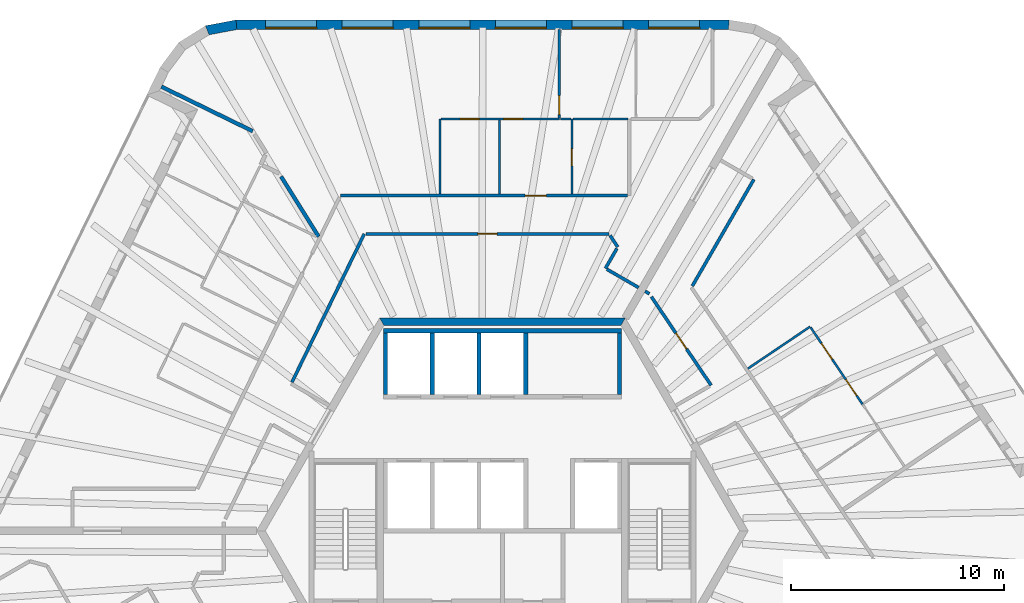
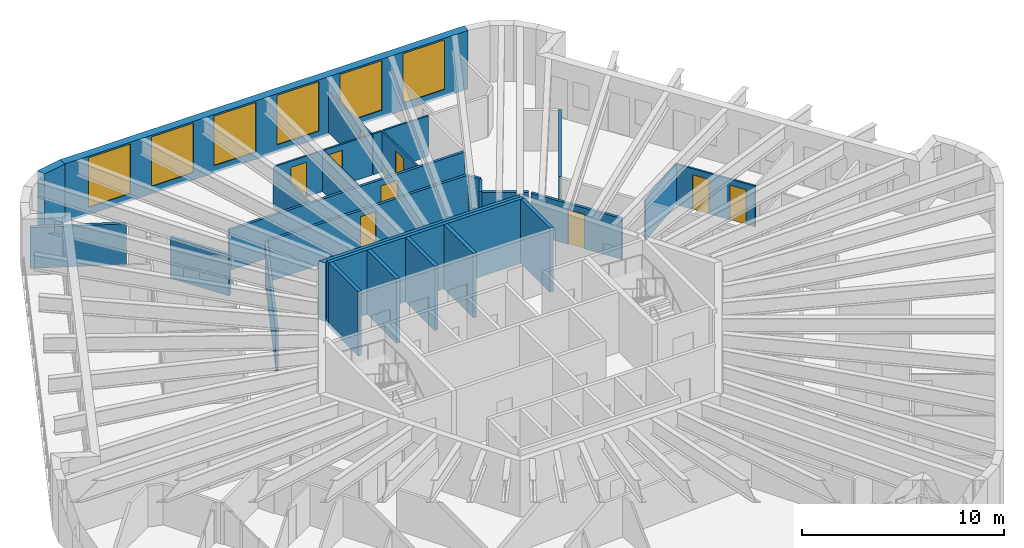
# One storey, part 9 of 11: 29 walls, 9 doors, 6 windows, 15 openings.
"""IFC4 building model written with IfcOpenShell, lengths in metres."""

from ifc_helpers import new_model, si_unit, direction, frame, frame_2d, origin, place, context, subcontext, project, spatial, polyline, rectangle, outline, extrude, material, layer, layer_set, type_object, element, fill, save


model = new_model("IFC4")

# Units and contexts
model_context = context("Model", 3, precision=1e-05, world=origin(), true_north=direction((0.0, 1.0)))
body_context = subcontext(model_context, "Body", "Model", "MODEL_VIEW")
ifc_project = project(units=[si_unit("LENGTHUNIT", "METRE"), si_unit("AREAUNIT", "SQUARE_METRE"), si_unit("VOLUMEUNIT", "CUBIC_METRE"), si_unit("PLANEANGLEUNIT", "RADIAN"), si_unit("MASSUNIT", "GRAM", prefix="KILO")], contexts=[model_context])

# Site, building, storey
site_placement = place(None, origin())
site = spatial("IfcSite", under=ifc_project, at=site_placement, CompositionType="ELEMENT")
building_placement = place(site_placement, origin())
building = spatial("IfcBuilding", under=site, at=building_placement, Name="Tarnside Tower", CompositionType="ELEMENT")
storey_placement = place(building_placement, frame((0.0, 0.0, 372.89990234375)))
storey = spatial("IfcBuildingStorey", under=building, at=storey_placement, Name="L90", CompositionType="ELEMENT", Elevation=372.89990234375)

# Wall, opening, door
ifc_material_1 = material(Name="Gypsum board partition on steel studs", Category="steel")
ifc_layer_1 = layer(ifc_material_1, 0.10009765625)
ifc_layer_set_1 = layer_set([ifc_layer_1], Name="Bathroom wall 100")
wall_type_1 = type_object("IfcWallType", Name="Bathroom wall 100", PredefinedType="PARTITIONING", material=ifc_layer_set_1)
wall_1_placement = place(storey_placement, frame((3.261962890625, 15.824951171875, 0.0), z_axis=(0.0, 0.0, 1.0), x_axis=(0.0, 1.0, 0.0)))
wall_1 = element("IfcWall", 1, at=wall_1_placement, inside=storey, type_object=wall_type_1, Name="Bathroom wall 29089", PredefinedType="PARTITIONING", context=body_context, shape_type="SweptSolid", body=[
    extrude(rectangle(XDim=3.525146484375, YDim=0.10009765625, at=frame_2d((1.7626953125, 0.0))), origin(), (0.0, 0.0, 1.0), 2.47021484375),
])
opening_1_placement = place(wall_1_placement, frame((1.324951171875, 0.0, 0.0)))
opening_1 = element("IfcOpeningElement", 2, at=opening_1_placement, cuts=wall_1, Name="Opening D-B1", PredefinedType="OPENING", context=body_context, shape_type="SweptSolid", body=[
    extrude(rectangle(XDim=0.800048828125, YDim=2.10009765625, at=frame_2d((0.39990234375, 1.050048828125))), frame((0.0, 0.06005859375, 0.0), z_axis=(0.0, -1.0, 0.0), x_axis=(1.0, 0.0, 0.0)), (0.0, 0.0, 1.0), 0.1201171875),
])
ifc_material_2 = material(Name="Timber door leaf", Category="wood")
door_type_1 = type_object("IfcDoorType", Name="Bathroom door 800", OperationType="NOTDEFINED", PredefinedType="DOOR", material=ifc_material_2)
door_1_placement = place(opening_1_placement, origin())
door_1 = element("IfcDoor", 3, at=door_1_placement, inside=storey, type_object=door_type_1, Name="Bathroom door 29002", OperationType="SINGLE_SWING_RIGHT", OverallHeight=2.10009765625, OverallWidth=0.800048828125, PredefinedType="DOOR", context=body_context, shape_type="SweptSolid", body=[
    extrude(rectangle(XDim=0.800048828125, YDim=2.10009765625, at=frame_2d((0.39990234375, 1.050048828125))), frame((0.0, 0.02490234375, 0.0), z_axis=(0.0, -1.0, 0.0), x_axis=(1.0, 0.0, 0.0)), (0.0, 0.0, 1.0), 0.050048828125),
])
fill(opening_1, door_1)

# Walls
wall_2_placement = place(storey_placement, frame((5.888916015625, 19.35009765625, 0.0), z_axis=(0.0, 0.0, 1.0), x_axis=(-1.0, 0.0, 0.0)))
element("IfcWall", 4, at=wall_2_placement, inside=storey, type_object=wall_type_1, Name="Bathroom wall 29092", PredefinedType="PARTITIONING", context=body_context, shape_type="SweptSolid", body=[
    extrude(rectangle(XDim=2.578857421875, YDim=0.10009765625, at=frame_2d((1.28955078125, 0.0))), origin(), (0.0, 0.0, 1.0), 2.47021484375),
])
ifc_material_3 = material(Name="Concrete C50/60", Category="concrete")
ifc_layer_2 = layer(ifc_material_3, 0.35009765625)
ifc_layer_set_2 = layer_set([ifc_layer_2], Name="Core wall Z4 350 C50/60")
wall_type_2 = type_object("IfcWallType", Name="Core wall Z4 350 C50/60", PredefinedType="SHEAR", material=ifc_layer_set_2)
wall_3_placement = place(storey_placement, frame((5.672607421875, 9.824951171875, -0.14990234375), z_axis=(0.0, 0.0, 1.0), x_axis=(-1.0, 0.0, 0.0)))
element("IfcWall", 5, at=wall_3_placement, inside=storey, type_object=wall_type_2, Name="L90 core wall face 1", PredefinedType="SHEAR", context=body_context, shape_type="SweptSolid", body=[
    extrude(outline(polyline([(-0.10107421875, -0.175048828125), (11.4462890625, -0.175048828125), (11.244140625, 0.175048828125), (0.10107421875, 0.175048828125), (-0.10107421875, -0.175048828125)])), origin(), (0.0, 0.0, 1.0), 3.550048828125),
])

# Wall, opening, door
ifc_layer_3 = layer(ifc_material_1, 0.14990234375)
ifc_layer_set_3 = layer_set([ifc_layer_3], Name="Corridor wall 150 EI 60")
wall_type_3 = type_object("IfcWallType", Name="Corridor wall 150 EI 60", PredefinedType="PARTITIONING", material=ifc_layer_set_3)
wall_4_placement = place(storey_placement, frame((5.886962890625, 15.75, 0.0), z_axis=(0.0, 0.0, 1.0), x_axis=(-1.0, 0.0, 0.0)))
wall_4 = element("IfcWall", 6, at=wall_4_placement, inside=storey, type_object=wall_type_3, Name="Corridor wall 29001", PredefinedType="PARTITIONING", context=body_context, shape_type="SweptSolid", body=[
    extrude(rectangle(XDim=13.50341796875, YDim=0.14990234375, at=frame_2d((6.751708984375, 0.0))), origin(), (0.0, 0.0, 1.0), 2.47021484375),
])
opening_2_placement = place(wall_4_placement, frame((3.824951171875, 0.0, 0.0)))
opening_2 = element("IfcOpeningElement", 7, at=opening_2_placement, cuts=wall_4, Name="Opening D-E1", PredefinedType="OPENING", context=body_context, shape_type="SweptSolid", body=[
    extrude(rectangle(XDim=1.0, YDim=2.10009765625, at=frame_2d((0.5, 1.050048828125))), frame((0.0, 0.0849609375, 0.0), z_axis=(0.0, -1.0, 0.0), x_axis=(1.0, 0.0, 0.0)), (0.0, 0.0, 1.0), 0.169921875),
])
door_type_2 = type_object("IfcDoorType", Name="Unit entrance door 1000 FD30S", OperationType="NOTDEFINED", PredefinedType="DOOR", material=ifc_material_2)
door_2_placement = place(opening_2_placement, origin())
door_2 = element("IfcDoor", 8, at=door_2_placement, inside=storey, type_object=door_type_2, Name="Unit door 29001", OperationType="SINGLE_SWING_RIGHT", OverallHeight=2.10009765625, OverallWidth=1.0, PredefinedType="DOOR", context=body_context, shape_type="SweptSolid", body=[
    extrude(rectangle(XDim=1.0, YDim=2.10009765625, at=frame_2d((0.5, 1.050048828125))), frame((0.0, 0.02490234375, 0.0), z_axis=(0.0, -1.0, 0.0), x_axis=(1.0, 0.0, 0.0)), (0.0, 0.0, 1.0), 0.050048828125),
])
fill(opening_2, door_2)

# Wall
wall_5_placement = place(storey_placement, frame((-9.892578125, 6.977294921875, 0.0), z_axis=(0.0, 0.0, 1.0), x_axis=(0.438380229518, 0.898789616299, 0.0)))
element("IfcWall", 9, at=wall_5_placement, inside=storey, type_object=wall_type_3, Name="Corridor wall 29019", PredefinedType="PARTITIONING", context=body_context, shape_type="SweptSolid", body=[
    extrude(rectangle(XDim=7.7578125, YDim=0.14990234375, at=frame_2d((3.87890625, 0.0))), origin(), (0.0, 0.0, 1.0), 2.47021484375),
])

# Wall, opening, door
wall_6_placement = place(storey_placement, frame((-6.408203125, 13.949951171875, 0.0), z_axis=(0.0, 0.0, 1.0), x_axis=(1.0, 0.0, 0.0)))
wall_6 = element("IfcWall", 10, at=wall_6_placement, inside=storey, type_object=wall_type_3, Name="Corridor wall 29020", PredefinedType="PARTITIONING", context=body_context, shape_type="SweptSolid", body=[
    extrude(rectangle(XDim=11.4130859375, YDim=0.14990234375, at=frame_2d((5.70654296875, 0.0))), origin(), (0.0, 0.0, 1.0), 2.47021484375),
])
opening_3_placement = place(wall_6_placement, frame((5.256591796875, 0.0, 0.0)))
opening_3 = element("IfcOpeningElement", 11, at=opening_3_placement, cuts=wall_6, Name="Opening D-S1", PredefinedType="OPENING", context=body_context, shape_type="SweptSolid", body=[
    extrude(rectangle(XDim=0.89990234375, YDim=2.10009765625, at=frame_2d((0.449951171875, 1.050048828125))), frame((0.0, 0.0849609375, 0.0), z_axis=(0.0, -1.0, 0.0), x_axis=(1.0, 0.0, 0.0)), (0.0, 0.0, 1.0), 0.169921875),
])
door_type_3 = type_object("IfcDoorType", Name="Service room door 900 FD30S", OperationType="NOTDEFINED", PredefinedType="DOOR", material=ifc_material_2)
door_3_placement = place(opening_3_placement, origin())
door_3 = element("IfcDoor", 12, at=door_3_placement, inside=storey, type_object=door_type_3, Name="Service door 29057", OperationType="SINGLE_SWING_RIGHT", OverallHeight=2.10009765625, OverallWidth=0.89990234375, PredefinedType="DOOR", context=body_context, shape_type="SweptSolid", body=[
    extrude(rectangle(XDim=0.89990234375, YDim=2.10009765625, at=frame_2d((0.449951171875, 1.050048828125))), frame((0.0, 0.02490234375, 0.0), z_axis=(0.0, -1.0, 0.0), x_axis=(1.0, 0.0, 0.0)), (0.0, 0.0, 1.0), 0.050048828125),
])
fill(opening_3, door_3)

# Walls
wall_7_placement = place(storey_placement, frame((5.055419921875, 13.875, 0.0), z_axis=(0.0, 0.0, 1.0), x_axis=(0.559111656251, -0.829092368705, 0.0)))
element("IfcWall", 13, at=wall_7_placement, inside=storey, type_object=wall_type_3, Name="Corridor wall 29021", PredefinedType="PARTITIONING", context=body_context, shape_type="SweptSolid", body=[
    extrude(rectangle(XDim=0.650146484375, YDim=0.14990234375, at=frame_2d((0.3251953125, 0.0))), origin(), (0.0, 0.0, 1.0), 2.47021484375),
])
wall_8_placement = place(storey_placement, frame((5.377197265625, 13.263671875, 0.0), z_axis=(0.0, 0.0, 1.0), x_axis=(-0.499957341738, -0.866050031143, 0.0)))
element("IfcWall", 14, at=wall_8_placement, inside=storey, type_object=wall_type_3, Name="Corridor wall 29022", PredefinedType="PARTITIONING", context=body_context, shape_type="SweptSolid", body=[
    extrude(rectangle(XDim=1.07958984375, YDim=0.14990234375, at=frame_2d((0.539794921875, 0.0))), origin(), (0.0, 0.0, 1.0), 2.47021484375),
])
wall_9_placement = place(storey_placement, frame((4.90234375, 12.291015625, 0.0), z_axis=(0.0, 0.0, 1.0), x_axis=(0.866074815912, -0.499914405916, 0.0)))
element("IfcWall", 15, at=wall_9_placement, inside=storey, type_object=wall_type_3, Name="Corridor wall 29023", PredefinedType="PARTITIONING", context=body_context, shape_type="SweptSolid", body=[
    extrude(rectangle(XDim=1.724853515625, YDim=0.14990234375, at=frame_2d((0.8623046875, 0.0))), origin(), (0.0, 0.0, 1.0), 2.47021484375),
])
wall_10_placement = place(storey_placement, frame((8.919677734375, 11.499267578125, 0.0), z_axis=(0.0, 0.0, 1.0), x_axis=(0.499984314267, 0.866034459757, 0.0)))
element("IfcWall", 16, at=wall_10_placement, inside=storey, type_object=wall_type_3, Name="Corridor wall 29063", PredefinedType="PARTITIONING", context=body_context, shape_type="SweptSolid", body=[
    extrude(rectangle(XDim=5.783935546875, YDim=0.14990234375, at=frame_2d((2.89208984375, 0.0))), origin(), (0.0, 0.0, 1.0), 2.47021484375),
])
wall_11_placement = place(storey_placement, frame((6.699462890625, 11.253662109375, 0.0), z_axis=(0.0, 0.0, 1.0), x_axis=(0.865544827262, -0.500831460673, 0.0)))
element("IfcWall", 17, at=wall_11_placement, inside=storey, type_object=wall_type_3, Name="Corridor wall 29077", PredefinedType="PARTITIONING", context=body_context, shape_type="SweptSolid", body=[
    extrude(rectangle(XDim=0.23486328125, YDim=0.14990234375, at=frame_2d((0.117431640625, 0.0))), origin(), (0.0, 0.0, 1.0), 2.47021484375),
])

# Wall, opening, door
wall_12_placement = place(storey_placement, frame((6.99853515625, 10.994140625, 0.0), z_axis=(0.0, 0.0, 1.0), x_axis=(0.55918759866, -0.82904115067, 0.0)))
wall_12 = element("IfcWall", 18, at=wall_12_placement, inside=storey, type_object=wall_type_3, Name="Corridor wall 29078", PredefinedType="PARTITIONING", context=body_context, shape_type="SweptSolid", body=[
    extrude(rectangle(XDim=5.012939453125, YDim=0.14990234375, at=frame_2d((2.50634765625, 0.0))), origin(), (0.0, 0.0, 1.0), 2.47021484375),
])
opening_4_placement = place(wall_12_placement, frame((2.056640625, 0.0, 0.0)))
opening_4 = element("IfcOpeningElement", 19, at=opening_4_placement, cuts=wall_12, Name="Opening D-S1", PredefinedType="OPENING", context=body_context, shape_type="SweptSolid", body=[
    extrude(rectangle(XDim=0.89990234375, YDim=2.10009765625, at=frame_2d((0.449951171875, 1.050048828125))), frame((0.0, 0.0849609375, 0.0), z_axis=(0.0, -1.0, 0.0), x_axis=(1.0, 0.0, 0.0)), (0.0, 0.0, 1.0), 0.169921875),
])
door_4_placement = place(opening_4_placement, origin())
door_4 = element("IfcDoor", 20, at=door_4_placement, inside=storey, type_object=door_type_3, Name="Service door 29063", OperationType="SINGLE_SWING_RIGHT", OverallHeight=2.10009765625, OverallWidth=0.89990234375, PredefinedType="DOOR", context=body_context, shape_type="SweptSolid", body=[
    extrude(rectangle(XDim=0.89990234375, YDim=2.10009765625, at=frame_2d((0.449951171875, 1.050048828125))), frame((0.0, 0.02490234375, 0.0), z_axis=(0.0, -1.0, 0.0), x_axis=(1.0, 0.0, 0.0)), (0.0, 0.0, 1.0), 0.050048828125),
])
fill(opening_4, door_4)

# Walls
ifc_layer_4 = layer(ifc_material_1, 0.179931640625)
ifc_layer_set_4 = layer_set([ifc_layer_4], Name="Demising wall 180 EI 60")
wall_type_4 = type_object("IfcWallType", Name="Demising wall 180 EI 60", PredefinedType="PARTITIONING", material=ifc_layer_set_4)
wall_13_placement = place(storey_placement, frame((-16.02392578125, 20.867919921875, 0.0), z_axis=(0.0, 0.0, 1.0), x_axis=(0.898790554329, -0.438378306317, 0.0)))
element("IfcWall", 21, at=wall_13_placement, inside=storey, type_object=wall_type_4, Name="Demising wall 29084", PredefinedType="PARTITIONING", context=body_context, shape_type="SweptSolid", body=[
    extrude(rectangle(XDim=4.775634765625, YDim=0.179931640625, at=frame_2d((2.3876953125, 0.0))), origin(), (0.0, 0.0, 1.0), 2.47021484375),
])
wall_14_placement = place(storey_placement, frame((-10.40185546875, 16.646728515625, 0.0), z_axis=(0.0, 0.0, 1.0), x_axis=(0.529853827573, -0.84808898201, 0.0)))
element("IfcWall", 22, at=wall_14_placement, inside=storey, type_object=wall_type_4, Name="Demising wall 29088", PredefinedType="PARTITIONING", context=body_context, shape_type="SweptSolid", body=[
    extrude(rectangle(XDim=3.3271484375, YDim=0.179931640625, at=frame_2d((1.66357421875, 0.0))), origin(), (0.0, 0.0, 1.0), 2.47021484375),
])
ifc_material_4 = material(Name="Concrete C40/50", Category="concrete")
ifc_layer_5 = layer(ifc_material_4, 0.199951171875)
ifc_layer_set_5 = layer_set([ifc_layer_5], Name="Lift shaft wall 200 C40/50")
wall_type_5 = type_object("IfcWallType", Name="Lift shaft wall 200 C40/50", PredefinedType="SHEAR", material=ifc_layer_set_5)
wall_15_placement = place(storey_placement, frame((-5.60009765625, 9.39990234375, -0.25), z_axis=(0.0, 0.0, 1.0), x_axis=(1.0, 0.0, 0.0)))
element("IfcWall", 23, at=wall_15_placement, inside=storey, type_object=wall_type_5, Name="L90 lift shaft back wall R1", PredefinedType="SHEAR", context=body_context, shape_type="SweptSolid", body=[
    extrude(rectangle(XDim=11.2001953125, YDim=0.199951171875, at=frame_2d((5.60009765625, 0.0))), origin(), (0.0, 0.0, 1.0), 3.900146484375),
])
for number, where, z_axis, x_axis, name in (
    (24, (-5.5, 6.39990234375, -0.25), (0.0, 0.0, 1.0), (0.0, 1.0, 0.0), "L90 lift shaft partition R11"),
    (25, (-3.300048828125, 6.39990234375, -0.25), (0.0, 0.0, 1.0), (0.0, 1.0, 0.0), "L90 lift shaft partition R12"),
    (26, (-1.10009765625, 6.39990234375, -0.25), (0.0, 0.0, 1.0), (0.0, 1.0, 0.0), "L90 lift shaft partition R13"),
    (27, (1.10009765625, 6.39990234375, -0.25), (0.0, 0.0, 1.0), (0.0, 1.0, 0.0), "L90 lift shaft partition R14"),
    (28, (5.5, 6.39990234375, -0.25), (0.0, 0.0, 1.0), (0.0, 1.0, 0.0), "L90 lift shaft partition R16"),
):
    element("IfcWall", number, at=place(storey_placement, frame(where, z_axis=z_axis, x_axis=x_axis)), inside=storey, type_object=wall_type_5, Name=name, PredefinedType="SHEAR", context=body_context, shape_type="SweptSolid", body=[
        extrude(rectangle(XDim=2.900146484375, YDim=0.199951171875, at=frame_2d((1.4501953125, 0.0))), origin(), (0.0, 0.0, 1.0), 3.900146484375),
    ])

# Wall, openings, doors
ifc_layer_6 = layer(ifc_material_1, 0.10009765625)
ifc_layer_set_6 = layer_set([ifc_layer_6], Name="Partition 100")
wall_type_6 = type_object("IfcWallType", Name="Partition 100", PredefinedType="PARTITIONING", material=ifc_layer_set_6)
wall_16_placement = place(storey_placement, frame((-2.887939453125, 19.35009765625, 0.0), z_axis=(0.0, 0.0, 1.0), x_axis=(1.0, 0.0, 0.0)))
wall_16 = element("IfcWall", 29, at=wall_16_placement, inside=storey, type_object=wall_type_6, Name="Partition wall 29080", PredefinedType="PARTITIONING", context=body_context, shape_type="SweptSolid", body=[
    extrude(rectangle(XDim=5.558349609375, YDim=0.10009765625, at=frame_2d((2.779296875, 0.0))), origin(), (0.0, 0.0, 1.0), 2.47021484375),
])
opening_5_placement = place(wall_16_placement, frame((2.949951171875, 0.0, 0.0)))
opening_5 = element("IfcOpeningElement", 30, at=opening_5_placement, cuts=wall_16, Name="Opening D-I1", PredefinedType="OPENING", context=body_context, shape_type="SweptSolid", body=[
    extrude(rectangle(XDim=0.89990234375, YDim=2.10009765625, at=frame_2d((0.449951171875, 1.050048828125))), frame((0.0, 0.06005859375, 0.0), z_axis=(0.0, -1.0, 0.0), x_axis=(1.0, 0.0, 0.0)), (0.0, 0.0, 1.0), 0.1201171875),
])
opening_6_placement = place(wall_16_placement, frame((0.89990234375, 0.0, 0.0)))
opening_6 = element("IfcOpeningElement", 31, at=opening_6_placement, cuts=wall_16, Name="Opening D-I1", PredefinedType="OPENING", context=body_context, shape_type="SweptSolid", body=[
    extrude(rectangle(XDim=0.89990234375, YDim=2.10009765625, at=frame_2d((0.449951171875, 1.050048828125))), frame((0.0, 0.06005859375, 0.0), z_axis=(0.0, -1.0, 0.0), x_axis=(1.0, 0.0, 0.0)), (0.0, 0.0, 1.0), 0.1201171875),
])
door_type_4 = type_object("IfcDoorType", Name="Internal door 900", OperationType="NOTDEFINED", PredefinedType="DOOR", material=ifc_material_2)
door_5_placement = place(opening_5_placement, origin())
door_5 = element("IfcDoor", 32, at=door_5_placement, inside=storey, type_object=door_type_4, Name="Internal door 29003", OperationType="SINGLE_SWING_RIGHT", OverallHeight=2.10009765625, OverallWidth=0.89990234375, PredefinedType="DOOR", context=body_context, shape_type="SweptSolid", body=[
    extrude(rectangle(XDim=0.89990234375, YDim=2.10009765625, at=frame_2d((0.449951171875, 1.050048828125))), frame((0.0, 0.02490234375, 0.0), z_axis=(0.0, -1.0, 0.0), x_axis=(1.0, 0.0, 0.0)), (0.0, 0.0, 1.0), 0.050048828125),
])
fill(opening_5, door_5)
door_6_placement = place(opening_6_placement, origin())
door_6 = element("IfcDoor", 33, at=door_6_placement, inside=storey, type_object=door_type_4, Name="Internal door 29008", OperationType="SINGLE_SWING_RIGHT", OverallHeight=2.10009765625, OverallWidth=0.89990234375, PredefinedType="DOOR", context=body_context, shape_type="SweptSolid", body=[
    extrude(rectangle(XDim=0.89990234375, YDim=2.10009765625, at=frame_2d((0.449951171875, 1.050048828125))), frame((0.0, 0.02490234375, 0.0), z_axis=(0.0, -1.0, 0.0), x_axis=(1.0, 0.0, 0.0)), (0.0, 0.0, 1.0), 0.050048828125),
])
fill(opening_6, door_6)

# Wall, opening, door
wall_17_placement = place(storey_placement, frame((2.66845703125, 19.39990234375, 0.0), z_axis=(0.0, 0.0, 1.0), x_axis=(0.0, 1.0, 0.0)))
wall_17 = element("IfcWall", 34, at=wall_17_placement, inside=storey, type_object=wall_type_6, Name="Partition wall 29081", PredefinedType="PARTITIONING", context=body_context, shape_type="SweptSolid", body=[
    extrude(rectangle(XDim=4.150146484375, YDim=0.10009765625, at=frame_2d((2.0751953125, 0.0))), origin(), (0.0, 0.0, 1.0), 2.47021484375),
])
opening_7_placement = place(wall_17_placement, frame((0.14990234375, 0.0, 0.0)))
opening_7 = element("IfcOpeningElement", 35, at=opening_7_placement, cuts=wall_17, Name="Opening D-I1", PredefinedType="OPENING", context=body_context, shape_type="SweptSolid", body=[
    extrude(rectangle(XDim=0.89990234375, YDim=2.10009765625, at=frame_2d((0.449951171875, 1.050048828125))), frame((0.0, 0.06005859375, 0.0), z_axis=(0.0, -1.0, 0.0), x_axis=(1.0, 0.0, 0.0)), (0.0, 0.0, 1.0), 0.1201171875),
])
door_7_placement = place(opening_7_placement, origin())
door_7 = element("IfcDoor", 36, at=door_7_placement, inside=storey, type_object=door_type_4, Name="Internal door 29007", OperationType="SINGLE_SWING_RIGHT", OverallHeight=2.10009765625, OverallWidth=0.89990234375, PredefinedType="DOOR", context=body_context, shape_type="SweptSolid", body=[
    extrude(rectangle(XDim=0.89990234375, YDim=2.10009765625, at=frame_2d((0.449951171875, 1.050048828125))), frame((0.0, 0.02490234375, 0.0), z_axis=(0.0, -1.0, 0.0), x_axis=(1.0, 0.0, 0.0)), (0.0, 0.0, 1.0), 0.050048828125),
])
fill(opening_7, door_7)

# Walls
wall_18_placement = place(storey_placement, frame((-2.93798828125, 15.824951171875, 0.0), z_axis=(0.0, 0.0, 1.0), x_axis=(0.0, 1.0, 0.0)))
element("IfcWall", 37, at=wall_18_placement, inside=storey, type_object=wall_type_6, Name="Partition wall 29082", PredefinedType="PARTITIONING", context=body_context, shape_type="SweptSolid", body=[
    extrude(rectangle(XDim=3.525146484375, YDim=0.10009765625, at=frame_2d((1.7626953125, 0.0))), origin(), (0.0, 0.0, 1.0), 2.47021484375),
])
wall_19_placement = place(storey_placement, frame((3.214111328125, 19.35009765625, 0.0), z_axis=(0.0, 0.0, 1.0), x_axis=(-1.0, 0.0, 0.0)))
element("IfcWall", 38, at=wall_19_placement, inside=storey, type_object=wall_type_6, Name="Partition wall 29090", PredefinedType="PARTITIONING", context=body_context, shape_type="SweptSolid", body=[
    extrude(rectangle(XDim=0.49560546875, YDim=0.10009765625, at=frame_2d((0.247802734375, 0.0))), origin(), (0.0, 0.0, 1.0), 2.47021484375),
])
wall_20_placement = place(storey_placement, frame((-0.137939453125, 19.300048828125, 0.0), z_axis=(0.0, 0.0, 1.0), x_axis=(0.0, -1.0, 0.0)))
element("IfcWall", 39, at=wall_20_placement, inside=storey, type_object=wall_type_6, Name="Partition wall 29091", PredefinedType="PARTITIONING", context=body_context, shape_type="SweptSolid", body=[
    extrude(rectangle(XDim=3.47509765625, YDim=0.10009765625, at=frame_2d((1.737548828125, 0.0))), origin(), (0.0, 0.0, 1.0), 2.47021484375),
])

# Wall, openings, doors
wall_21_placement = place(storey_placement, frame((14.4853515625, 9.551513671875, 0.0), z_axis=(0.0, 0.0, 1.0), x_axis=(0.559171259418, -0.829052171242, 0.0)))
wall_21 = element("IfcWall", 40, at=wall_21_placement, inside=storey, type_object=wall_type_6, Name="Partition wall 29144", PredefinedType="PARTITIONING", context=body_context, shape_type="SweptSolid", body=[
    extrude(rectangle(XDim=4.35205078125, YDim=0.10009765625, at=frame_2d((2.176025390625, 0.0))), origin(), (0.0, 0.0, 1.0), 2.47021484375),
])
opening_8_placement = place(wall_21_placement, frame((2.949951171875, 0.0, 0.0)))
opening_8 = element("IfcOpeningElement", 41, at=opening_8_placement, cuts=wall_21, Name="Opening D-I1", PredefinedType="OPENING", context=body_context, shape_type="SweptSolid", body=[
    extrude(rectangle(XDim=0.89990234375, YDim=2.10009765625, at=frame_2d((0.449951171875, 1.050048828125))), frame((0.0, 0.06005859375, 0.0), z_axis=(0.0, -1.0, 0.0), x_axis=(1.0, 0.0, 0.0)), (0.0, 0.0, 1.0), 0.1201171875),
])
opening_9_placement = place(wall_21_placement, frame((0.89990234375, 0.0, 0.0)))
opening_9 = element("IfcOpeningElement", 42, at=opening_9_placement, cuts=wall_21, Name="Opening D-I1", PredefinedType="OPENING", context=body_context, shape_type="SweptSolid", body=[
    extrude(rectangle(XDim=0.89990234375, YDim=2.10009765625, at=frame_2d((0.449951171875, 1.050048828125))), frame((0.0, 0.06005859375, 0.0), z_axis=(0.0, -1.0, 0.0), x_axis=(1.0, 0.0, 0.0)), (0.0, 0.0, 1.0), 0.1201171875),
])
door_8_placement = place(opening_8_placement, origin())
door_8 = element("IfcDoor", 43, at=door_8_placement, inside=storey, type_object=door_type_4, Name="Internal door 29052", OperationType="SINGLE_SWING_RIGHT", OverallHeight=2.10009765625, OverallWidth=0.89990234375, PredefinedType="DOOR", context=body_context, shape_type="SweptSolid", body=[
    extrude(rectangle(XDim=0.89990234375, YDim=2.10009765625, at=frame_2d((0.449951171875, 1.050048828125))), frame((0.0, 0.02490234375, 0.0), z_axis=(0.0, -1.0, 0.0), x_axis=(1.0, 0.0, 0.0)), (0.0, 0.0, 1.0), 0.050048828125),
])
fill(opening_8, door_8)
door_9_placement = place(opening_9_placement, origin())
door_9 = element("IfcDoor", 44, at=door_9_placement, inside=storey, type_object=door_type_4, Name="Internal door 29054", OperationType="SINGLE_SWING_RIGHT", OverallHeight=2.10009765625, OverallWidth=0.89990234375, PredefinedType="DOOR", context=body_context, shape_type="SweptSolid", body=[
    extrude(rectangle(XDim=0.89990234375, YDim=2.10009765625, at=frame_2d((0.449951171875, 1.050048828125))), frame((0.0, 0.02490234375, 0.0), z_axis=(0.0, -1.0, 0.0), x_axis=(1.0, 0.0, 0.0)), (0.0, 0.0, 1.0), 0.050048828125),
])
fill(opening_9, door_9)

# Wall
wall_22_placement = place(storey_placement, frame((11.534912109375, 7.621826171875, 0.0), z_axis=(0.0, 0.0, 1.0), x_axis=(0.829033300448, 0.559199237078, 0.0)))
element("IfcWall", 45, at=wall_22_placement, inside=storey, type_object=wall_type_6, Name="Partition wall 29146", PredefinedType="PARTITIONING", context=body_context, shape_type="SweptSolid", body=[
    extrude(rectangle(XDim=3.525146484375, YDim=0.10009765625, at=frame_2d((1.7626953125, 0.0))), origin(), (0.0, 0.0, 1.0), 2.47021484375),
])

# Wall, openings, windows
ifc_material_5 = material(Name="Facing brick", Category="masonry")
ifc_layer_7 = layer(ifc_material_5, 0.10205078125)
ifc_material_6 = material(Name="Concrete C60/75 precast", Category="concrete")
ifc_layer_8 = layer(ifc_material_6, 0.248046875)
ifc_material_7 = material(Name="Mineral wool insulation")
ifc_layer_9 = layer(ifc_material_7, 0.10009765625)
ifc_layer_set_7 = layer_set([ifc_layer_7, ifc_layer_8, ifc_layer_9], Name="Tube wall 450 brick faced")
wall_type_7 = type_object("IfcWallType", Name="Tube wall 450 brick faced", PredefinedType="SOLIDWALL", material=ifc_layer_set_7)
wall_23_placement = place(storey_placement, frame((10.63427734375, 23.77490234375, -0.14990234375), z_axis=(0.0, 0.0, 1.0), x_axis=(-1.0, 0.0, 0.0)))
wall_23 = element("IfcWall", 46, at=wall_23_placement, inside=storey, type_object=wall_type_7, Name="Tube wall L90 F1 flush 00", PredefinedType="SOLIDWALL", context=body_context, shape_type="SweptSolid", body=[
    extrude(outline(polyline([(-0.018310546875, -0.22509765625), (23.152587890625, -0.22509765625), (23.110595703125, 0.22509765625), (0.018310546875, 0.22509765625), (-0.018310546875, -0.22509765625)])), origin(), (0.0, 0.0, 1.0), 3.550048828125),
])
opening_10_placement = place(wall_23_placement, frame((1.36572265625, 0.0, 0.449951171875)))
opening_10 = element("IfcOpeningElement", 47, at=opening_10_placement, cuts=wall_23, Name="Opening WP", PredefinedType="OPENING", context=body_context, shape_type="SweptSolid", body=[
    extrude(rectangle(XDim=2.39990234375, YDim=3.0, at=frame_2d((1.199951171875, 1.5))), frame((0.0, 0.23486328125, 0.0), z_axis=(0.0, -1.0, 0.0), x_axis=(1.0, 0.0, 0.0)), (0.0, 0.0, 1.0), 0.469970703125),
])
opening_11_placement = place(wall_23_placement, frame((4.9658203125, 0.0, 0.449951171875)))
opening_11 = element("IfcOpeningElement", 48, at=opening_11_placement, cuts=wall_23, Name="Opening WP", PredefinedType="OPENING", context=body_context, shape_type="SweptSolid", body=[
    extrude(rectangle(XDim=2.39990234375, YDim=3.0, at=frame_2d((1.199951171875, 1.5))), frame((0.0, 0.23486328125, 0.0), z_axis=(0.0, -1.0, 0.0), x_axis=(1.0, 0.0, 0.0)), (0.0, 0.0, 1.0), 0.469970703125),
])
opening_12_placement = place(wall_23_placement, frame((8.56591796875, 0.0, 0.449951171875)))
opening_12 = element("IfcOpeningElement", 49, at=opening_12_placement, cuts=wall_23, Name="Opening WP", PredefinedType="OPENING", context=body_context, shape_type="SweptSolid", body=[
    extrude(rectangle(XDim=2.39990234375, YDim=3.0, at=frame_2d((1.199951171875, 1.5))), frame((0.0, 0.23486328125, 0.0), z_axis=(0.0, -1.0, 0.0), x_axis=(1.0, 0.0, 0.0)), (0.0, 0.0, 1.0), 0.469970703125),
])
opening_13_placement = place(wall_23_placement, frame((12.165771484375, 0.0, 0.449951171875)))
opening_13 = element("IfcOpeningElement", 50, at=opening_13_placement, cuts=wall_23, Name="Opening WP", PredefinedType="OPENING", context=body_context, shape_type="SweptSolid", body=[
    extrude(rectangle(XDim=2.39990234375, YDim=3.0, at=frame_2d((1.199951171875, 1.5))), frame((0.0, 0.23486328125, 0.0), z_axis=(0.0, -1.0, 0.0), x_axis=(1.0, 0.0, 0.0)), (0.0, 0.0, 1.0), 0.469970703125),
])
opening_14_placement = place(wall_23_placement, frame((15.765869140625, 0.0, 0.449951171875)))
opening_14 = element("IfcOpeningElement", 51, at=opening_14_placement, cuts=wall_23, Name="Opening WP", PredefinedType="OPENING", context=body_context, shape_type="SweptSolid", body=[
    extrude(rectangle(XDim=2.39990234375, YDim=3.0, at=frame_2d((1.199951171875, 1.5))), frame((0.0, 0.23486328125, 0.0), z_axis=(0.0, -1.0, 0.0), x_axis=(1.0, 0.0, 0.0)), (0.0, 0.0, 1.0), 0.469970703125),
])
opening_15_placement = place(wall_23_placement, frame((19.36572265625, 0.0, 0.449951171875)))
opening_15 = element("IfcOpeningElement", 52, at=opening_15_placement, cuts=wall_23, Name="Opening WP", PredefinedType="OPENING", context=body_context, shape_type="SweptSolid", body=[
    extrude(rectangle(XDim=2.39990234375, YDim=3.0, at=frame_2d((1.199951171875, 1.5))), frame((0.0, 0.23486328125, 0.0), z_axis=(0.0, -1.0, 0.0), x_axis=(1.0, 0.0, 0.0)), (0.0, 0.0, 1.0), 0.469970703125),
])
ifc_material_8 = material(Name="Aluminium-framed double glazing", Category="aluminium")
window_type = type_object("IfcWindowType", Name="Penthouse window 2400 x 3000", PartitioningType="DOUBLE_PANEL_VERTICAL", PredefinedType="WINDOW", material=ifc_material_8)
window_1_placement = place(opening_10_placement, frame((0.0, 0.1552734375, 0.0)))
window_1 = element("IfcWindow", 53, at=window_1_placement, inside=storey, type_object=window_type, Name="E.WN.L90.F1.00", OverallHeight=3.0, OverallWidth=2.39990234375, PartitioningType="DOUBLE_PANEL_VERTICAL", PredefinedType="WINDOW", context=body_context, shape_type="SweptSolid", body=[
    extrude(rectangle(XDim=2.39990234375, YDim=3.0, at=frame_2d((1.199951171875, 1.5))), frame((0.0, 0.030029296875, 0.0), z_axis=(0.0, -1.0, 0.0), x_axis=(1.0, 0.0, 0.0)), (0.0, 0.0, 1.0), 0.06005859375),
])
fill(opening_10, window_1)
window_2_placement = place(opening_11_placement, frame((0.0, 0.1552734375, 0.0)))
window_2 = element("IfcWindow", 54, at=window_2_placement, inside=storey, type_object=window_type, Name="E.WN.L90.F1.01", OverallHeight=3.0, OverallWidth=2.39990234375, PartitioningType="DOUBLE_PANEL_VERTICAL", PredefinedType="WINDOW", context=body_context, shape_type="SweptSolid", body=[
    extrude(rectangle(XDim=2.39990234375, YDim=3.0, at=frame_2d((1.199951171875, 1.5))), frame((0.0, 0.030029296875, 0.0), z_axis=(0.0, -1.0, 0.0), x_axis=(1.0, 0.0, 0.0)), (0.0, 0.0, 1.0), 0.06005859375),
])
fill(opening_11, window_2)
window_3_placement = place(opening_12_placement, frame((0.0, 0.1552734375, 0.0)))
window_3 = element("IfcWindow", 55, at=window_3_placement, inside=storey, type_object=window_type, Name="E.WN.L90.F1.02", OverallHeight=3.0, OverallWidth=2.39990234375, PartitioningType="DOUBLE_PANEL_VERTICAL", PredefinedType="WINDOW", context=body_context, shape_type="SweptSolid", body=[
    extrude(rectangle(XDim=2.39990234375, YDim=3.0, at=frame_2d((1.199951171875, 1.5))), frame((0.0, 0.030029296875, 0.0), z_axis=(0.0, -1.0, 0.0), x_axis=(1.0, 0.0, 0.0)), (0.0, 0.0, 1.0), 0.06005859375),
])
fill(opening_12, window_3)
window_4_placement = place(opening_13_placement, frame((0.0, 0.1552734375, 0.0)))
window_4 = element("IfcWindow", 56, at=window_4_placement, inside=storey, type_object=window_type, Name="E.WN.L90.F1.03", OverallHeight=3.0, OverallWidth=2.39990234375, PartitioningType="DOUBLE_PANEL_VERTICAL", PredefinedType="WINDOW", context=body_context, shape_type="SweptSolid", body=[
    extrude(rectangle(XDim=2.39990234375, YDim=3.0, at=frame_2d((1.199951171875, 1.5))), frame((0.0, 0.030029296875, 0.0), z_axis=(0.0, -1.0, 0.0), x_axis=(1.0, 0.0, 0.0)), (0.0, 0.0, 1.0), 0.06005859375),
])
fill(opening_13, window_4)
window_5_placement = place(opening_14_placement, frame((0.0, 0.1552734375, 0.0)))
window_5 = element("IfcWindow", 57, at=window_5_placement, inside=storey, type_object=window_type, Name="E.WN.L90.F1.04", OverallHeight=3.0, OverallWidth=2.39990234375, PartitioningType="DOUBLE_PANEL_VERTICAL", PredefinedType="WINDOW", context=body_context, shape_type="SweptSolid", body=[
    extrude(rectangle(XDim=2.39990234375, YDim=3.0, at=frame_2d((1.199951171875, 1.5))), frame((0.0, 0.030029296875, 0.0), z_axis=(0.0, -1.0, 0.0), x_axis=(1.0, 0.0, 0.0)), (0.0, 0.0, 1.0), 0.06005859375),
])
fill(opening_14, window_5)
window_6_placement = place(opening_15_placement, frame((0.0, 0.1552734375, 0.0)))
window_6 = element("IfcWindow", 58, at=window_6_placement, inside=storey, type_object=window_type, Name="E.WN.L90.F1.05", OverallHeight=3.0, OverallWidth=2.39990234375, PartitioningType="DOUBLE_PANEL_VERTICAL", PredefinedType="WINDOW", context=body_context, shape_type="SweptSolid", body=[
    extrude(rectangle(XDim=2.39990234375, YDim=3.0, at=frame_2d((1.199951171875, 1.5))), frame((0.0, 0.030029296875, 0.0), z_axis=(0.0, -1.0, 0.0), x_axis=(1.0, 0.0, 0.0)), (0.0, 0.0, 1.0), 0.06005859375),
])
fill(opening_15, window_6)

# Wall
wall_24_placement = place(storey_placement, frame((-12.497314453125, 23.77490234375, -0.14990234375), z_axis=(0.0, 0.0, 1.0), x_axis=(-0.982735447009, -0.185016326824, 0.0)))
element("IfcWall", 59, at=wall_24_placement, inside=storey, type_object=wall_type_7, Name="Tube wall L90 F1 chord 01", PredefinedType="SOLIDWALL", context=body_context, shape_type="SweptSolid", body=[
    extrude(outline(polyline([(-0.02099609375, -0.22509765625), (1.43994140625, -0.22509765625), (1.35498046875, 0.22509765625), (0.02099609375, 0.22509765625), (-0.02099609375, -0.22509765625)])), origin(), (0.0, 0.0, 1.0), 3.550048828125),
])

save(model, "model.ifc")
